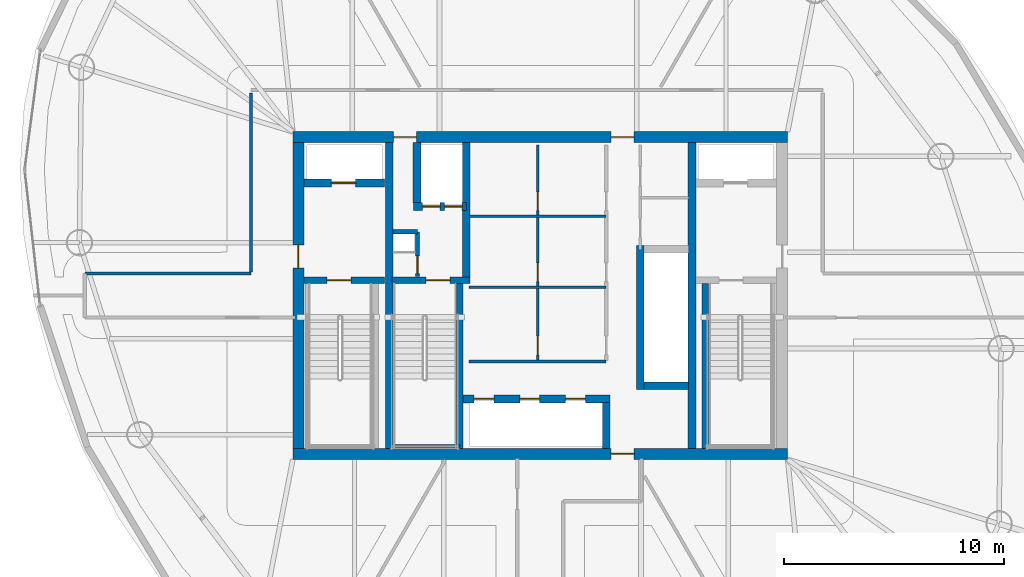
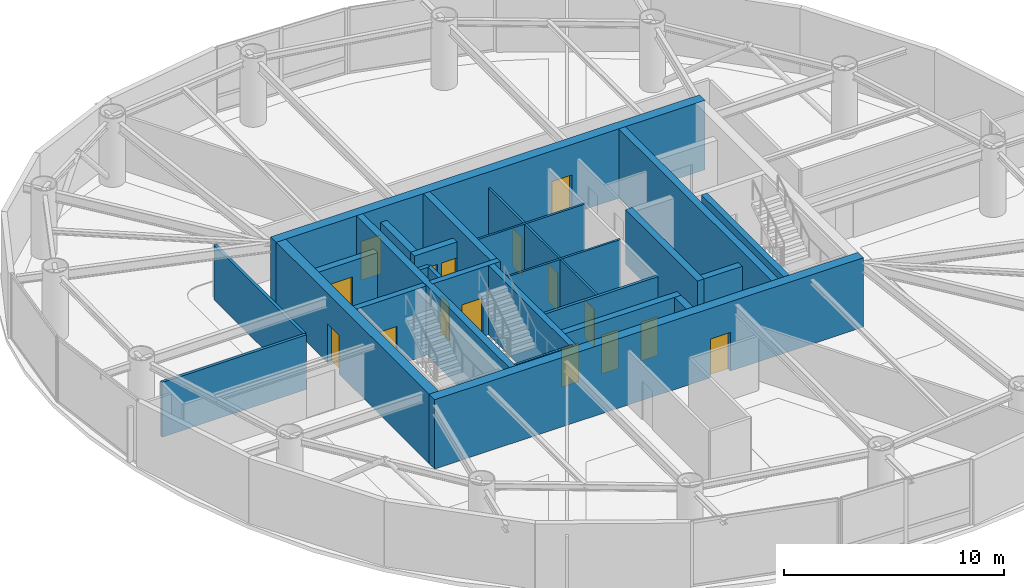
# One storey, part 14 of 20: 26 walls, 16 doors, 16 openings.
"""IFC4 building model written with IfcOpenShell, lengths in metres."""

from ifc_helpers import new_model, si_unit, direction, frame, frame_2d, origin, place, context, subcontext, project, spatial, rectangle, extrude, material, layer, layer_set, type_object, element, fill, save


model = new_model("IFC4")

# Units and contexts
model_context = context("Model", 3, precision=1e-05, world=origin(), true_north=direction((0.0, 1.0)))
body_context = subcontext(model_context, "Body", "Model", "MODEL_VIEW")
ifc_project = project(units=[si_unit("LENGTHUNIT", "METRE"), si_unit("AREAUNIT", "SQUARE_METRE"), si_unit("VOLUMEUNIT", "CUBIC_METRE"), si_unit("PLANEANGLEUNIT", "RADIAN"), si_unit("MASSUNIT", "GRAM", prefix="KILO")], contexts=[model_context])

# Site, building, storey
site_placement = place(None, origin())
site = spatial("IfcSite", under=ifc_project, at=site_placement, CompositionType="ELEMENT")
building_placement = place(site_placement, origin())
building = spatial("IfcBuilding", under=site, at=building_placement, Name="Bramvorn Convention Spire", CompositionType="ELEMENT")
storey_placement = place(building_placement, frame((0.0, 0.0, 178.89990234375)))
storey = spatial("IfcBuildingStorey", under=building, at=storey_placement, Name="L45", CompositionType="ELEMENT", Elevation=178.89990234375)

# Wall, opening, door
ifc_material_1 = material(Name="Concrete C50/60", Category="concrete")
ifc_layer_1 = layer(ifc_material_1, 0.5)
ifc_layer_set_1 = layer_set([ifc_layer_1], Name="Concrete C50/60 - WL-CORE-500")
wall_type_1 = type_object("IfcWallType", Name="WL-CORE-500", PredefinedType="SHEAR", material=ifc_layer_set_1)
wall_1_placement = place(storey_placement, frame((26.75, 18.800048828125, 0.0), z_axis=(0.0, 0.0, 1.0), x_axis=(1.0, 0.0, 0.0)))
wall_1 = element("IfcWall", 1, at=wall_1_placement, inside=storey, type_object=wall_type_1, Name="L45 South RC core shear wall", PredefinedType="SHEAR", context=body_context, shape_type="SweptSolid", body=[
    extrude(rectangle(XDim=22.5, YDim=0.5, at=frame_2d((11.25, 0.0))), origin(), (0.0, 0.0, 1.0), 3.85009765625),
])
opening_1_placement = place(wall_1_placement, frame((14.469970703125, 0.0, 0.0)))
opening_1 = element("IfcOpeningElement", 2, at=opening_1_placement, cuts=wall_1, Name="Opening DL-105", PredefinedType="OPENING", context=body_context, shape_type="SweptSolid", body=[
    extrude(rectangle(XDim=1.050048828125, YDim=2.14990234375, at=frame_2d((0.52490234375, 1.074951171875))), frame((0.0, 0.260009765625, 0.0), z_axis=(0.0, -1.0, 0.0), x_axis=(1.0, 0.0, 0.0)), (0.0, 0.0, 1.0), 0.52001953125),
])
ifc_material_2 = material(Name="Smoke-Sealed Fire Lobby Timber-Core Door", Category="wood")
door_type_1 = type_object("IfcDoorType", Name="DR-LOBBY-1050", OperationType="NOTDEFINED", PredefinedType="DOOR", material=ifc_material_2)
door_1_placement = place(opening_1_placement, origin())
door_1 = element("IfcDoor", 3, at=door_1_placement, inside=storey, type_object=door_type_1, Name="L45 South Lift Lobby fire door", OperationType="SINGLE_SWING_RIGHT", OverallHeight=2.14990234375, OverallWidth=1.050048828125, PredefinedType="DOOR", context=body_context, shape_type="SweptSolid", body=[
    extrude(rectangle(XDim=1.050048828125, YDim=2.14990234375, at=frame_2d((0.52490234375, 1.074951171875))), frame((0.0, 0.02490234375, 0.0), z_axis=(0.0, -1.0, 0.0), x_axis=(1.0, 0.0, 0.0)), (0.0, 0.0, 1.0), 0.050048828125),
])
fill(opening_1, door_1)

# Wall, openings, doors
wall_2_placement = place(storey_placement, frame((26.75, 33.199951171875, 0.0), z_axis=(0.0, 0.0, 1.0), x_axis=(1.0, 0.0, 0.0)))
wall_2 = element("IfcWall", 4, at=wall_2_placement, inside=storey, type_object=wall_type_1, Name="L45 North RC core shear wall", PredefinedType="SHEAR", context=body_context, shape_type="SweptSolid", body=[
    extrude(rectangle(XDim=22.5, YDim=0.5, at=frame_2d((11.25, 0.0))), origin(), (0.0, 0.0, 1.0), 3.85009765625),
])
opening_2_placement = place(wall_2_placement, frame((4.570068359375, 0.0, 0.0)))
opening_2 = element("IfcOpeningElement", 5, at=opening_2_placement, cuts=wall_2, Name="Opening DL-105", PredefinedType="OPENING", context=body_context, shape_type="SweptSolid", body=[
    extrude(rectangle(XDim=1.050048828125, YDim=2.14990234375, at=frame_2d((0.52490234375, 1.074951171875))), frame((0.0, 0.260009765625, 0.0), z_axis=(0.0, -1.0, 0.0), x_axis=(1.0, 0.0, 0.0)), (0.0, 0.0, 1.0), 0.52001953125),
])
opening_3_placement = place(wall_2_placement, frame((14.469970703125, 0.0, 0.0)))
opening_3 = element("IfcOpeningElement", 6, at=opening_3_placement, cuts=wall_2, Name="Opening DL-105", PredefinedType="OPENING", context=body_context, shape_type="SweptSolid", body=[
    extrude(rectangle(XDim=1.050048828125, YDim=2.14990234375, at=frame_2d((0.52490234375, 1.074951171875))), frame((0.0, 0.260009765625, 0.0), z_axis=(0.0, -1.0, 0.0), x_axis=(1.0, 0.0, 0.0)), (0.0, 0.0, 1.0), 0.52001953125),
])
door_2_placement = place(opening_2_placement, origin())
door_2 = element("IfcDoor", 7, at=door_2_placement, inside=storey, type_object=door_type_1, Name="L45 Service & Stair ST3 Lobby north corridor door", OperationType="SINGLE_SWING_LEFT", OverallHeight=2.14990234375, OverallWidth=1.050048828125, PredefinedType="DOOR", context=body_context, shape_type="SweptSolid", body=[
    extrude(rectangle(XDim=1.050048828125, YDim=2.14990234375, at=frame_2d((0.52490234375, 1.074951171875))), frame((0.0, 0.02490234375, 0.0), z_axis=(0.0, -1.0, 0.0), x_axis=(1.0, 0.0, 0.0)), (0.0, 0.0, 1.0), 0.050048828125),
])
fill(opening_2, door_2)
door_3_placement = place(opening_3_placement, origin())
door_3 = element("IfcDoor", 8, at=door_3_placement, inside=storey, type_object=door_type_1, Name="L45 North Lift Lobby fire door", OperationType="SINGLE_SWING_LEFT", OverallHeight=2.14990234375, OverallWidth=1.050048828125, PredefinedType="DOOR", context=body_context, shape_type="SweptSolid", body=[
    extrude(rectangle(XDim=1.050048828125, YDim=2.14990234375, at=frame_2d((0.52490234375, 1.074951171875))), frame((0.0, 0.02490234375, 0.0), z_axis=(0.0, -1.0, 0.0), x_axis=(1.0, 0.0, 0.0)), (0.0, 0.0, 1.0), 0.050048828125),
])
fill(opening_3, door_3)

# Wall, opening, door
wall_3_placement = place(storey_placement, frame((27.0, 19.050048828125, 0.0), z_axis=(0.0, 0.0, 1.0), x_axis=(0.0, 1.0, 0.0)))
wall_3 = element("IfcWall", 9, at=wall_3_placement, inside=storey, type_object=wall_type_1, Name="L45 West RC core shear wall", PredefinedType="SHEAR", context=body_context, shape_type="SweptSolid", body=[
    extrude(rectangle(XDim=13.89990234375, YDim=0.5, at=frame_2d((6.949951171875, 0.0))), origin(), (0.0, 0.0, 1.0), 3.85009765625),
])
opening_4_placement = place(wall_3_placement, frame((8.199951171875, 0.0, 0.0)))
opening_4 = element("IfcOpeningElement", 10, at=opening_4_placement, cuts=wall_3, Name="Opening DL-105", PredefinedType="OPENING", context=body_context, shape_type="SweptSolid", body=[
    extrude(rectangle(XDim=1.050048828125, YDim=2.14990234375, at=frame_2d((0.52490234375, 1.074951171875))), frame((0.0, 0.260009765625, 0.0), z_axis=(0.0, -1.0, 0.0), x_axis=(1.0, 0.0, 0.0)), (0.0, 0.0, 1.0), 0.52001953125),
])
door_4_placement = place(opening_4_placement, origin())
door_4 = element("IfcDoor", 11, at=door_4_placement, inside=storey, type_object=door_type_1, Name="L45 West Firefighting Lobby corridor door", OperationType="SINGLE_SWING_RIGHT", OverallHeight=2.14990234375, OverallWidth=1.050048828125, PredefinedType="DOOR", context=body_context, shape_type="SweptSolid", body=[
    extrude(rectangle(XDim=1.050048828125, YDim=2.14990234375, at=frame_2d((0.52490234375, 1.074951171875))), frame((0.0, 0.02490234375, 0.0), z_axis=(0.0, -1.0, 0.0), x_axis=(1.0, 0.0, 0.0)), (0.0, 0.0, 1.0), 0.050048828125),
])
fill(opening_4, door_4)

# Walls
ifc_layer_2 = layer(ifc_material_1, 0.35009765625)
ifc_layer_set_2 = layer_set([ifc_layer_2], Name="Concrete C50/60 - WL-CORE-INT-350")
wall_type_2 = type_object("IfcWallType", Name="WL-CORE-INT-350", PredefinedType="SHEAR", material=ifc_layer_set_2)
for number, where, z_axis, x_axis, name in (
    (12, (31.1298828125, 19.050048828125, 0.0), (0.0, 0.0, 1.0), (0.0, 1.0, 0.0), "L45 West internal core shear web"),
    (13, (44.89990234375, 19.050048828125, 0.0), (0.0, 0.0, 1.0), (0.0, 1.0, 0.0), "L45 East internal core shear web"),
):
    element("IfcWall", number, at=place(storey_placement, frame(where, z_axis=z_axis, x_axis=x_axis)), inside=storey, type_object=wall_type_2, Name=name, PredefinedType="SHEAR", context=body_context, shape_type="SweptSolid", body=[
        extrude(rectangle(XDim=13.89990234375, YDim=0.35009765625, at=frame_2d((6.949951171875, 0.0))), origin(), (0.0, 0.0, 1.0), 3.85009765625),
    ])

# Wall, opening, door
wall_4_placement = place(storey_placement, frame((27.25, 31.1201171875, 0.0), z_axis=(0.0, 0.0, 1.0), x_axis=(1.0, 0.0, 0.0)))
wall_4 = element("IfcWall", 14, at=wall_4_placement, inside=storey, type_object=wall_type_2, Name="L45 FE1 shaft front wall", PredefinedType="SHEAR", context=body_context, shape_type="SweptSolid", body=[
    extrude(rectangle(XDim=3.669921875, YDim=0.35009765625, at=frame_2d((1.8349609375, 0.0))), origin(), (0.0, 0.0, 1.0), 3.03515625),
])
opening_5_placement = place(wall_4_placement, frame((1.25, 0.0, 0.0)))
opening_5 = element("IfcOpeningElement", 15, at=opening_5_placement, cuts=wall_4, Name="Opening LD-110", PredefinedType="OPENING", context=body_context, shape_type="SweptSolid", body=[
    extrude(rectangle(XDim=1.10009765625, YDim=2.14990234375, at=frame_2d((0.550048828125, 1.074951171875))), frame((0.0, 0.18505859375, 0.0), z_axis=(0.0, -1.0, 0.0), x_axis=(1.0, 0.0, 0.0)), (0.0, 0.0, 1.0), 0.3701171875),
])
ifc_material_3 = material(Name="Firefighting & Service Lift Sliding Landing Door", Category="steel")
door_type_2 = type_object("IfcDoorType", Name="DR-LIFT-LD-1100", OperationType="NOTDEFINED", PredefinedType="DOOR", material=ifc_material_3)
door_5_placement = place(opening_5_placement, origin())
door_5 = element("IfcDoor", 16, at=door_5_placement, inside=storey, type_object=door_type_2, Name="L45 Lift FE1 Sliding Landing Door", OperationType="SLIDING_TO_LEFT", OverallHeight=2.14990234375, OverallWidth=1.10009765625, PredefinedType="DOOR", context=body_context, shape_type="SweptSolid", body=[
    extrude(rectangle(XDim=1.10009765625, YDim=2.14990234375, at=frame_2d((0.550048828125, 1.074951171875))), frame((0.0, 0.02490234375, 0.0), z_axis=(0.0, -1.0, 0.0), x_axis=(1.0, 0.0, 0.0)), (0.0, 0.0, 1.0), 0.050048828125),
])
fill(opening_5, door_5)

# Wall
wall_5_placement = place(storey_placement, frame((34.639892578125, 26.68994140625, 0.0), z_axis=(0.0, 0.0, 1.0), x_axis=(0.0, 1.0, 0.0)))
element("IfcWall", 17, at=wall_5_placement, inside=storey, type_object=wall_type_2, Name="L45 SV east core shaft wall", PredefinedType="SHEAR", context=body_context, shape_type="SweptSolid", body=[
    extrude(rectangle(XDim=6.260009765625, YDim=0.35009765625, at=frame_2d((3.1298828125, 0.0))), origin(), (0.0, 0.0, 1.0), 3.85009765625),
])

# Wall, openings, doors
wall_6_placement = place(storey_placement, frame((32.22998046875, 30.050048828125, 0.0), z_axis=(0.0, 0.0, 1.0), x_axis=(1.0, 0.0, 0.0)))
wall_6 = element("IfcWall", 18, at=wall_6_placement, inside=storey, type_object=wall_type_2, Name="L45 SV1/SV2 shaft front wall", PredefinedType="SHEAR", context=body_context, shape_type="SweptSolid", body=[
    extrude(rectangle(XDim=2.409912109375, YDim=0.35009765625, at=frame_2d((1.205078125, 0.0))), origin(), (0.0, 0.0, 1.0), 3.03515625),
])
opening_6_placement = place(wall_6_placement, frame((0.419921875, 0.0, 0.0)))
opening_6 = element("IfcOpeningElement", 19, at=opening_6_placement, cuts=wall_6, Name="Opening LD-080", PredefinedType="OPENING", context=body_context, shape_type="SweptSolid", body=[
    extrude(rectangle(XDim=0.800048828125, YDim=2.14990234375, at=frame_2d((0.39990234375, 1.074951171875))), frame((0.0, 0.18505859375, 0.0), z_axis=(0.0, -1.0, 0.0), x_axis=(1.0, 0.0, 0.0)), (0.0, 0.0, 1.0), 0.3701171875),
])
opening_7_placement = place(wall_6_placement, frame((1.419921875, 0.0, 0.0)))
opening_7 = element("IfcOpeningElement", 20, at=opening_7_placement, cuts=wall_6, Name="Opening LD-080", PredefinedType="OPENING", context=body_context, shape_type="SweptSolid", body=[
    extrude(rectangle(XDim=0.800048828125, YDim=2.14990234375, at=frame_2d((0.39990234375, 1.074951171875))), frame((0.0, 0.18505859375, 0.0), z_axis=(0.0, -1.0, 0.0), x_axis=(1.0, 0.0, 0.0)), (0.0, 0.0, 1.0), 0.3701171875),
])
ifc_material_4 = material(Name="Service Lift Bi-Parting Landing Door", Category="steel")
door_type_3 = type_object("IfcDoorType", Name="DR-LIFT-LD-800", OperationType="NOTDEFINED", PredefinedType="DOOR", material=ifc_material_4)
door_6_placement = place(opening_6_placement, origin())
door_6 = element("IfcDoor", 21, at=door_6_placement, inside=storey, type_object=door_type_3, Name="L45 Lift SV1 Sliding Landing Door", OperationType="SLIDING_TO_LEFT", OverallHeight=2.14990234375, OverallWidth=0.800048828125, PredefinedType="DOOR", context=body_context, shape_type="SweptSolid", body=[
    extrude(rectangle(XDim=0.800048828125, YDim=2.14990234375, at=frame_2d((0.39990234375, 1.074951171875))), frame((0.0, 0.02490234375, 0.0), z_axis=(0.0, -1.0, 0.0), x_axis=(1.0, 0.0, 0.0)), (0.0, 0.0, 1.0), 0.050048828125),
])
fill(opening_6, door_6)
door_7_placement = place(opening_7_placement, origin())
door_7 = element("IfcDoor", 22, at=door_7_placement, inside=storey, type_object=door_type_3, Name="L45 Lift SV2 Sliding Landing Door", OperationType="SLIDING_TO_LEFT", OverallHeight=2.14990234375, OverallWidth=0.800048828125, PredefinedType="DOOR", context=body_context, shape_type="SweptSolid", body=[
    extrude(rectangle(XDim=0.800048828125, YDim=2.14990234375, at=frame_2d((0.39990234375, 1.074951171875))), frame((0.0, 0.02490234375, 0.0), z_axis=(0.0, -1.0, 0.0), x_axis=(1.0, 0.0, 0.0)), (0.0, 0.0, 1.0), 0.050048828125),
])
fill(opening_7, door_7)

# Walls
wall_7_placement = place(storey_placement, frame((32.39990234375, 30.219970703125, 0.0), z_axis=(0.0, 0.0, 1.0), x_axis=(0.0, 1.0, 0.0)))
element("IfcWall", 23, at=wall_7_placement, inside=storey, type_object=wall_type_2, Name="L45 SV1 west hoistway wall", PredefinedType="SHEAR", context=body_context, shape_type="SweptSolid", body=[
    extrude(rectangle(XDim=2.72998046875, YDim=0.35009765625, at=frame_2d((1.364990234375, 0.0))), origin(), (0.0, 0.0, 1.0), 3.03515625),
])
wall_8_placement = place(storey_placement, frame((42.550048828125, 21.72998046875, 0.0), z_axis=(0.0, 0.0, 1.0), x_axis=(0.0, 1.0, 0.0)))
element("IfcWall", 24, at=wall_8_placement, inside=storey, type_object=wall_type_2, Name="L45 High-rise lift bank west wall", PredefinedType="SHEAR", context=body_context, shape_type="SweptSolid", body=[
    extrude(rectangle(XDim=6.5400390625, YDim=0.35009765625, at=frame_2d((3.27001953125, 0.0))), origin(), (0.0, 0.0, 1.0), 3.03515625),
])
wall_9_placement = place(storey_placement, frame((42.719970703125, 21.89990234375, 0.0), z_axis=(0.0, 0.0, 1.0), x_axis=(1.0, 0.0, 0.0)))
element("IfcWall", 25, at=wall_9_placement, inside=storey, type_object=wall_type_2, Name="L45 High-rise lift bank south wall", PredefinedType="SHEAR", context=body_context, shape_type="SweptSolid", body=[
    extrude(rectangle(XDim=2.030029296875, YDim=0.35009765625, at=frame_2d((1.01513671875, 0.0))), origin(), (0.0, 0.0, 1.0), 3.03515625),
])

# Wall, openings, doors
wall_10_placement = place(storey_placement, frame((34.489990234375, 21.300048828125, 0.0), z_axis=(0.0, 0.0, 1.0), x_axis=(1.0, 0.0, 0.0)))
wall_10 = element("IfcWall", 26, at=wall_10_placement, inside=storey, type_object=wall_type_2, Name="L45 Mid-rise bank north landing wall", PredefinedType="SHEAR", context=body_context, shape_type="SweptSolid", body=[
    extrude(rectangle(XDim=6.679931640625, YDim=0.35009765625, at=frame_2d((3.33984375, 0.0))), origin(), (0.0, 0.0, 1.0), 3.03515625),
])
opening_8_placement = place(wall_10_placement, frame((0.5, 0.0, 0.0)))
opening_8 = element("IfcOpeningElement", 27, at=opening_8_placement, cuts=wall_10, Name="Opening LD-090", PredefinedType="OPENING", context=body_context, shape_type="SweptSolid", body=[
    extrude(rectangle(XDim=0.89990234375, YDim=2.14990234375, at=frame_2d((0.449951171875, 1.074951171875))), frame((0.0, 0.18505859375, 0.0), z_axis=(0.0, -1.0, 0.0), x_axis=(1.0, 0.0, 0.0)), (0.0, 0.0, 1.0), 0.3701171875),
])
opening_9_placement = place(wall_10_placement, frame((2.580078125, 0.0, 0.0)))
opening_9 = element("IfcOpeningElement", 28, at=opening_9_placement, cuts=wall_10, Name="Opening LD-090", PredefinedType="OPENING", context=body_context, shape_type="SweptSolid", body=[
    extrude(rectangle(XDim=0.89990234375, YDim=2.14990234375, at=frame_2d((0.449951171875, 1.074951171875))), frame((0.0, 0.18505859375, 0.0), z_axis=(0.0, -1.0, 0.0), x_axis=(1.0, 0.0, 0.0)), (0.0, 0.0, 1.0), 0.3701171875),
])
opening_10_placement = place(wall_10_placement, frame((4.659912109375, 0.0, 0.0)))
opening_10 = element("IfcOpeningElement", 29, at=opening_10_placement, cuts=wall_10, Name="Opening LD-090", PredefinedType="OPENING", context=body_context, shape_type="SweptSolid", body=[
    extrude(rectangle(XDim=0.89990234375, YDim=2.14990234375, at=frame_2d((0.449951171875, 1.074951171875))), frame((0.0, 0.18505859375, 0.0), z_axis=(0.0, -1.0, 0.0), x_axis=(1.0, 0.0, 0.0)), (0.0, 0.0, 1.0), 0.3701171875),
])
ifc_material_5 = material(Name="Bi-Parting Fire-Rated Lift Landing Door", Category="steel")
door_type_4 = type_object("IfcDoorType", Name="DR-LIFT-LD-900", OperationType="NOTDEFINED", PredefinedType="DOOR", material=ifc_material_5)
door_8_placement = place(opening_8_placement, origin())
door_8 = element("IfcDoor", 30, at=door_8_placement, inside=storey, type_object=door_type_4, Name="L45 Lift PM1 Sliding Landing Door", OperationType="SLIDING_TO_LEFT", OverallHeight=2.14990234375, OverallWidth=0.89990234375, PredefinedType="DOOR", context=body_context, shape_type="SweptSolid", body=[
    extrude(rectangle(XDim=0.89990234375, YDim=2.14990234375, at=frame_2d((0.449951171875, 1.074951171875))), frame((0.0, 0.02490234375, 0.0), z_axis=(0.0, -1.0, 0.0), x_axis=(1.0, 0.0, 0.0)), (0.0, 0.0, 1.0), 0.050048828125),
])
fill(opening_8, door_8)
door_9_placement = place(opening_9_placement, origin())
door_9 = element("IfcDoor", 31, at=door_9_placement, inside=storey, type_object=door_type_4, Name="L45 Lift PM2 Sliding Landing Door", OperationType="SLIDING_TO_LEFT", OverallHeight=2.14990234375, OverallWidth=0.89990234375, PredefinedType="DOOR", context=body_context, shape_type="SweptSolid", body=[
    extrude(rectangle(XDim=0.89990234375, YDim=2.14990234375, at=frame_2d((0.449951171875, 1.074951171875))), frame((0.0, 0.02490234375, 0.0), z_axis=(0.0, -1.0, 0.0), x_axis=(1.0, 0.0, 0.0)), (0.0, 0.0, 1.0), 0.050048828125),
])
fill(opening_9, door_9)
door_10_placement = place(opening_10_placement, origin())
door_10 = element("IfcDoor", 32, at=door_10_placement, inside=storey, type_object=door_type_4, Name="L45 Lift PM3 Sliding Landing Door", OperationType="SLIDING_TO_LEFT", OverallHeight=2.14990234375, OverallWidth=0.89990234375, PredefinedType="DOOR", context=body_context, shape_type="SweptSolid", body=[
    extrude(rectangle(XDim=0.89990234375, YDim=2.14990234375, at=frame_2d((0.449951171875, 1.074951171875))), frame((0.0, 0.02490234375, 0.0), z_axis=(0.0, -1.0, 0.0), x_axis=(1.0, 0.0, 0.0)), (0.0, 0.0, 1.0), 0.050048828125),
])
fill(opening_10, door_10)

# Wall
wall_11_placement = place(storey_placement, frame((41.0, 19.050048828125, 0.0), z_axis=(0.0, 0.0, 1.0), x_axis=(0.0, 1.0, 0.0)))
element("IfcWall", 33, at=wall_11_placement, inside=storey, type_object=wall_type_2, Name="L45 Mid-rise bank east cheek wall", PredefinedType="SHEAR", context=body_context, shape_type="SweptSolid", body=[
    extrude(rectangle(XDim=2.079833984375, YDim=0.35009765625, at=frame_2d((1.0400390625, 0.0))), origin(), (0.0, 0.0, 1.0), 3.03515625),
])

# Wall, openings, doors
ifc_material_6 = material(Name="Lightweight En-Suite & Wet-Wall Partition", Category="gypsum")
ifc_layer_3 = layer(ifc_material_6, 0.110107421875)
ifc_layer_set_3 = layer_set([ifc_layer_3], Name="Lightweight En-Suite & Wet-Wall Partition - WL-PART-110")
wall_type_3 = type_object("IfcWallType", Name="WL-PART-110", PredefinedType="PARTITIONING", material=ifc_layer_set_3)
wall_12_placement = place(storey_placement, frame((37.8798828125, 23.050048828125, 0.0), z_axis=(0.0, 0.0, 1.0), x_axis=(0.0, 1.0, 0.0)))
wall_12 = element("IfcWall", 34, at=wall_12_placement, inside=storey, type_object=wall_type_3, Name="L45 KB center wall", PredefinedType="PARTITIONING", context=body_context, shape_type="SweptSolid", body=[
    extrude(rectangle(XDim=9.800048828125, YDim=0.110107421875, at=frame_2d((4.89990234375, 0.0))), origin(), (0.0, 0.0, 1.0), 3.03515625),
])
opening_11_placement = place(wall_12_placement, frame((0.25, 0.0, 0.0)))
opening_11 = element("IfcOpeningElement", 35, at=opening_11_placement, cuts=wall_12, Name="Opening DC-085", PredefinedType="OPENING", context=body_context, shape_type="SweptSolid", body=[
    extrude(rectangle(XDim=0.85009765625, YDim=2.10009765625, at=frame_2d((0.425048828125, 1.050048828125))), frame((0.0, 0.06494140625, 0.0), z_axis=(0.0, -1.0, 0.0), x_axis=(1.0, 0.0, 0.0)), (0.0, 0.0, 1.0), 0.130126953125),
])
opening_12_placement = place(wall_12_placement, frame((3.58203125, 0.0, 0.0)))
opening_12 = element("IfcOpeningElement", 36, at=opening_12_placement, cuts=wall_12, Name="Opening DC-085", PredefinedType="OPENING", context=body_context, shape_type="SweptSolid", body=[
    extrude(rectangle(XDim=0.85009765625, YDim=2.10009765625, at=frame_2d((0.425048828125, 1.050048828125))), frame((0.0, 0.06494140625, 0.0), z_axis=(0.0, -1.0, 0.0), x_axis=(1.0, 0.0, 0.0)), (0.0, 0.0, 1.0), 0.130126953125),
])
opening_13_placement = place(wall_12_placement, frame((6.81591796875, 0.0, 0.0)))
opening_13 = element("IfcOpeningElement", 37, at=opening_13_placement, cuts=wall_12, Name="Opening DC-085", PredefinedType="OPENING", context=body_context, shape_type="SweptSolid", body=[
    extrude(rectangle(XDim=0.85009765625, YDim=2.10009765625, at=frame_2d((0.425048828125, 1.050048828125))), frame((0.0, 0.06494140625, 0.0), z_axis=(0.0, -1.0, 0.0), x_axis=(1.0, 0.0, 0.0)), (0.0, 0.0, 1.0), 0.130126953125),
])
ifc_material_7 = material(Name="Fire-Rated Core Washroom & IDF Door", Category="wood")
door_type_5 = type_object("IfcDoorType", Name="DR-CORE-850", OperationType="NOTDEFINED", PredefinedType="DOOR", material=ifc_material_7)
door_11_placement = place(opening_11_placement, origin())
door_11 = element("IfcDoor", 38, at=door_11_placement, inside=storey, type_object=door_type_5, Name="L45 Core Linen Store door", OperationType="SINGLE_SWING_LEFT", OverallHeight=2.10009765625, OverallWidth=0.85009765625, PredefinedType="DOOR", context=body_context, shape_type="SweptSolid", body=[
    extrude(rectangle(XDim=0.85009765625, YDim=2.10009765625, at=frame_2d((0.425048828125, 1.050048828125))), frame((0.0, 0.02490234375, 0.0), z_axis=(0.0, -1.0, 0.0), x_axis=(1.0, 0.0, 0.0)), (0.0, 0.0, 1.0), 0.050048828125),
])
fill(opening_11, door_11)
door_12_placement = place(opening_12_placement, origin())
door_12 = element("IfcDoor", 39, at=door_12_placement, inside=storey, type_object=door_type_5, Name="L45 Core Metering Closet door", OperationType="SINGLE_SWING_LEFT", OverallHeight=2.10009765625, OverallWidth=0.85009765625, PredefinedType="DOOR", context=body_context, shape_type="SweptSolid", body=[
    extrude(rectangle(XDim=0.85009765625, YDim=2.10009765625, at=frame_2d((0.425048828125, 1.050048828125))), frame((0.0, 0.02490234375, 0.0), z_axis=(0.0, -1.0, 0.0), x_axis=(1.0, 0.0, 0.0)), (0.0, 0.0, 1.0), 0.050048828125),
])
fill(opening_12, door_12)
door_13_placement = place(opening_13_placement, origin())
door_13 = element("IfcDoor", 40, at=door_13_placement, inside=storey, type_object=door_type_5, Name="L45 Core Janitor Supply door", OperationType="SINGLE_SWING_LEFT", OverallHeight=2.10009765625, OverallWidth=0.85009765625, PredefinedType="DOOR", context=body_context, shape_type="SweptSolid", body=[
    extrude(rectangle(XDim=0.85009765625, YDim=2.10009765625, at=frame_2d((0.425048828125, 1.050048828125))), frame((0.0, 0.02490234375, 0.0), z_axis=(0.0, -1.0, 0.0), x_axis=(1.0, 0.0, 0.0)), (0.0, 0.0, 1.0), 0.050048828125),
])
fill(opening_13, door_13)

# Walls
for number, where, z_axis, x_axis, name in (
    (41, (34.75, 26.382080078125, 0.0), (0.0, 0.0, 1.0), (1.0, 0.0, 0.0), "L45 KB divider 1"),
    (42, (34.75, 29.615966796875, 0.0), (0.0, 0.0, 1.0), (1.0, 0.0, 0.0), "L45 KB divider 2"),
):
    element("IfcWall", number, at=place(storey_placement, frame(where, z_axis=z_axis, x_axis=x_axis)), inside=storey, type_object=wall_type_3, Name=name, PredefinedType="PARTITIONING", context=body_context, shape_type="SweptSolid", body=[
        extrude(rectangle(XDim=6.25, YDim=0.110107421875, at=frame_2d((3.125, 0.0))), origin(), (0.0, 0.0, 1.0), 3.03515625),
    ])
ifc_material_8 = material(Name="Acoustic Metal-Stud Tenant/Corridor Partition", Category="gypsum")
ifc_layer_4 = layer(ifc_material_8, 0.14990234375)
ifc_layer_set_4 = layer_set([ifc_layer_4], Name="Acoustic Metal-Stud Tenant/Corridor Partition - WL-PART-150")
wall_type_4 = type_object("IfcWallType", Name="WL-PART-150", PredefinedType="PARTITIONING", material=ifc_layer_set_4)
wall_13_placement = place(storey_placement, frame((34.75, 23.0, 0.0), z_axis=(0.0, 0.0, 1.0), x_axis=(1.0, 0.0, 0.0)))
element("IfcWall", 43, at=wall_13_placement, inside=storey, type_object=wall_type_4, Name="L45 Mid-rise lift vestibule north wall", PredefinedType="PARTITIONING", context=body_context, shape_type="SweptSolid", body=[
    extrude(rectangle(XDim=6.25, YDim=0.14990234375, at=frame_2d((3.125, 0.0))), origin(), (0.0, 0.0, 1.0), 3.03515625),
])
wall_14_placement = place(storey_placement, frame((24.85009765625, 27.080078125, 0.0), z_axis=(0.0, 0.0, 1.0), x_axis=(0.0, 1.0, 0.0)))
element("IfcWall", 44, at=wall_14_placement, inside=storey, type_object=wall_type_4, Name="L45 NW gallery cheek", PredefinedType="PARTITIONING", context=body_context, shape_type="SweptSolid", body=[
    extrude(rectangle(XDim=8.119873046875, YDim=0.14990234375, at=frame_2d((4.06005859375, 0.0))), origin(), (0.0, 0.0, 1.0), 3.03515625),
])
wall_15_placement = place(storey_placement, frame((17.290771484375, 27.0, 0.0), z_axis=(0.0, 0.0, 1.0), x_axis=(1.0, 0.0, 0.0)))
element("IfcWall", 45, at=wall_15_placement, inside=storey, type_object=wall_type_4, Name="L45 West wing spine north wall", PredefinedType="PARTITIONING", context=body_context, shape_type="SweptSolid", body=[
    extrude(rectangle(XDim=7.559326171875, YDim=0.14990234375, at=frame_2d((3.77978515625, 0.0))), origin(), (0.0, 0.0, 1.0), 3.03515625),
])

# Wall, opening, door
ifc_material_9 = material(Name="Gypsum Shaftwall & Rockwool Core Partition", Category="gypsum")
ifc_layer_5 = layer(ifc_material_9, 0.199951171875)
ifc_layer_set_5 = layer_set([ifc_layer_5], Name="Gypsum Shaftwall & Rockwool Core Partition - WL-PART-200-FR")
wall_type_5 = type_object("IfcWallType", Name="WL-PART-200-FR", PredefinedType="PARTITIONING", material=ifc_layer_set_5)
wall_16_placement = place(storey_placement, frame((32.419921875, 26.860107421875, 0.0), z_axis=(0.0, 0.0, 1.0), x_axis=(0.0, 1.0, 0.0)))
wall_16 = element("IfcWall", 46, at=wall_16_placement, inside=storey, type_object=wall_type_5, Name="L45 Telecom riser east wall", PredefinedType="PARTITIONING", context=body_context, shape_type="SweptSolid", body=[
    extrude(rectangle(XDim=2.039794921875, YDim=0.199951171875, at=frame_2d((1.02001953125, 0.0))), origin(), (0.0, 0.0, 1.0), 3.03515625),
])
opening_14_placement = place(wall_16_placement, frame((0.139892578125, 0.0, 0.0)))
opening_14 = element("IfcOpeningElement", 47, at=opening_14_placement, cuts=wall_16, Name="Opening DR-080", PredefinedType="OPENING", context=body_context, shape_type="SweptSolid", body=[
    extrude(rectangle(XDim=0.800048828125, YDim=2.050048828125, at=frame_2d((0.39990234375, 1.02490234375))), frame((0.0, 0.10986328125, 0.0), z_axis=(0.0, -1.0, 0.0), x_axis=(1.0, 0.0, 0.0)), (0.0, 0.0, 1.0), 0.219970703125),
])
ifc_material_10 = material(Name="Flush Steel Riser Access Door", Category="steel")
door_type_6 = type_object("IfcDoorType", Name="DR-RISER-800", OperationType="NOTDEFINED", PredefinedType="DOOR", material=ifc_material_10)
door_14_placement = place(opening_14_placement, origin())
door_14 = element("IfcDoor", 48, at=door_14_placement, inside=storey, type_object=door_type_6, Name="L45 Telecom riser access door", OperationType="SINGLE_SWING_RIGHT", OverallHeight=2.050048828125, OverallWidth=0.800048828125, PredefinedType="DOOR", context=body_context, shape_type="SweptSolid", body=[
    extrude(rectangle(XDim=0.800048828125, YDim=2.050048828125, at=frame_2d((0.39990234375, 1.02490234375))), frame((0.0, 0.02490234375, 0.0), z_axis=(0.0, -1.0, 0.0), x_axis=(1.0, 0.0, 0.0)), (0.0, 0.0, 1.0), 0.050048828125),
])
fill(opening_14, door_14)

# Wall
wall_17_placement = place(storey_placement, frame((31.300048828125, 28.89990234375, 0.0), z_axis=(0.0, 0.0, 1.0), x_axis=(1.0, 0.0, 0.0)))
element("IfcWall", 49, at=wall_17_placement, inside=storey, type_object=wall_type_5, Name="L45 Telecom riser north wall", PredefinedType="PARTITIONING", context=body_context, shape_type="SweptSolid", body=[
    extrude(rectangle(XDim=1.119873046875, YDim=0.199951171875, at=frame_2d((0.56005859375, 0.0))), origin(), (0.0, 0.0, 1.0), 3.03515625),
])

# Wall, opening, door
ifc_layer_6 = layer(ifc_material_1, 0.300048828125)
ifc_layer_set_6 = layer_set([ifc_layer_6], Name="Concrete C50/60 - WL-POD-STAIR-300")
wall_type_6 = type_object("IfcWallType", Name="WL-POD-STAIR-300", PredefinedType="SHEAR", material=ifc_layer_set_6)
wall_18_placement = place(storey_placement, frame((27.25, 26.68994140625, 0.0), z_axis=(0.0, 0.0, 1.0), x_axis=(1.0, 0.0, 0.0)))
wall_18 = element("IfcWall", 50, at=wall_18_placement, inside=storey, type_object=wall_type_6, Name="L45 ST1 north fire wall", PredefinedType="SHEAR", context=body_context, shape_type="SweptSolid", body=[
    extrude(rectangle(XDim=3.669921875, YDim=0.300048828125, at=frame_2d((1.8349609375, 0.0))), origin(), (0.0, 0.0, 1.0), 3.85009765625),
])
opening_15_placement = place(wall_18_placement, frame((1.050048828125, 0.0, 0.0)))
opening_15 = element("IfcOpeningElement", 51, at=opening_15_placement, cuts=wall_18, Name="Opening DS-110", PredefinedType="OPENING", context=body_context, shape_type="SweptSolid", body=[
    extrude(rectangle(XDim=1.10009765625, YDim=2.14990234375, at=frame_2d((0.550048828125, 1.074951171875))), frame((0.0, 0.159912109375, 0.0), z_axis=(0.0, -1.0, 0.0), x_axis=(1.0, 0.0, 0.0)), (0.0, 0.0, 1.0), 0.320068359375),
])
ifc_material_11 = material(Name="Fire-Rated Hollow Steel Stairwell Door", Category="steel")
door_type_7 = type_object("IfcDoorType", Name="DR-STAIR-1100", OperationType="NOTDEFINED", PredefinedType="DOOR", material=ifc_material_11)
door_15_placement = place(opening_15_placement, origin())
door_15 = element("IfcDoor", 52, at=door_15_placement, inside=storey, type_object=door_type_7, Name="L45 Stair ST1 fire door", OperationType="SINGLE_SWING_LEFT", OverallHeight=2.14990234375, OverallWidth=1.10009765625, PredefinedType="DOOR", context=body_context, shape_type="SweptSolid", body=[
    extrude(rectangle(XDim=1.10009765625, YDim=2.14990234375, at=frame_2d((0.550048828125, 1.074951171875))), frame((0.0, 0.02490234375, 0.0), z_axis=(0.0, -1.0, 0.0), x_axis=(1.0, 0.0, 0.0)), (0.0, 0.0, 1.0), 0.050048828125),
])
fill(opening_15, door_15)

# Walls
for number, where, z_axis, x_axis, name in (
    (53, (45.510009765625, 19.050048828125, 0.0), (0.0, 0.0, 1.0), (0.0, 1.0, 0.0), "L45 ST2 west bearing wall"),
    (54, (34.340087890625, 19.050048828125, 0.0), (0.0, 0.0, 1.0), (0.0, 1.0, 0.0), "L45 ST3 east bearing wall"),
):
    element("IfcWall", number, at=place(storey_placement, frame(where, z_axis=z_axis, x_axis=x_axis)), inside=storey, type_object=wall_type_6, Name=name, PredefinedType="SHEAR", context=body_context, shape_type="SweptSolid", body=[
        extrude(rectangle(XDim=7.5, YDim=0.300048828125, at=frame_2d((3.75, 0.0))), origin(), (0.0, 0.0, 1.0), 3.85009765625),
    ])

# Wall, opening, door
wall_19_placement = place(storey_placement, frame((31.25, 26.68994140625, 0.0), z_axis=(0.0, 0.0, 1.0), x_axis=(1.0, 0.0, 0.0)))
wall_19 = element("IfcWall", 55, at=wall_19_placement, inside=storey, type_object=wall_type_6, Name="L45 ST3 north lobby wall", PredefinedType="SHEAR", context=body_context, shape_type="SweptSolid", body=[
    extrude(rectangle(XDim=3.56005859375, YDim=0.300048828125, at=frame_2d((1.780029296875, 0.0))), origin(), (0.0, 0.0, 1.0), 3.85009765625),
])
opening_16_placement = place(wall_19_placement, frame((1.550048828125, 0.0, 0.0)))
opening_16 = element("IfcOpeningElement", 56, at=opening_16_placement, cuts=wall_19, Name="Opening DS-110", PredefinedType="OPENING", context=body_context, shape_type="SweptSolid", body=[
    extrude(rectangle(XDim=1.10009765625, YDim=2.14990234375, at=frame_2d((0.550048828125, 1.074951171875))), frame((0.0, 0.159912109375, 0.0), z_axis=(0.0, -1.0, 0.0), x_axis=(1.0, 0.0, 0.0)), (0.0, 0.0, 1.0), 0.320068359375),
])
door_16_placement = place(opening_16_placement, origin())
door_16 = element("IfcDoor", 57, at=door_16_placement, inside=storey, type_object=door_type_7, Name="L45 Stair ST3 fire door", OperationType="SINGLE_SWING_LEFT", OverallHeight=2.14990234375, OverallWidth=1.10009765625, PredefinedType="DOOR", context=body_context, shape_type="SweptSolid", body=[
    extrude(rectangle(XDim=1.10009765625, YDim=2.14990234375, at=frame_2d((0.550048828125, 1.074951171875))), frame((0.0, 0.02490234375, 0.0), z_axis=(0.0, -1.0, 0.0), x_axis=(1.0, 0.0, 0.0)), (0.0, 0.0, 1.0), 0.050048828125),
])
fill(opening_16, door_16)

# Wall
ifc_layer_7 = layer(ifc_material_1, 0.1201171875)
ifc_layer_set_7 = layer_set([ifc_layer_7], Name="Concrete C50/60 - WL-STAIR-RC-120")
wall_type_7 = type_object("IfcWallType", Name="WL-STAIR-RC-120", PredefinedType="SHEAR", material=ifc_layer_set_7)
wall_20_placement = place(storey_placement, frame((31.300048828125, 19.159912109375, 0.0), z_axis=(0.0, 0.0, 1.0), x_axis=(1.0, 0.0, 0.0)))
element("IfcWall", 58, at=wall_20_placement, inside=storey, type_object=wall_type_7, Name="L45 ST3 south bearing shear wall", PredefinedType="SHEAR", context=body_context, shape_type="SweptSolid", body=[
    extrude(rectangle(XDim=3.0400390625, YDim=0.1201171875, at=frame_2d((1.52001953125, 0.0))), origin(), (0.0, 0.0, 1.0), 3.85009765625),
])

save(model, "model.ifc")
